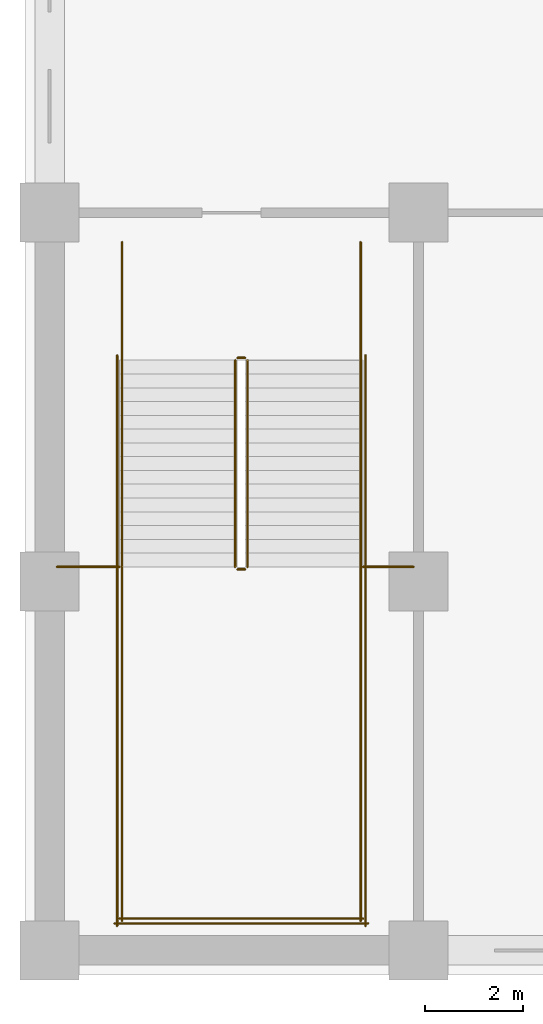
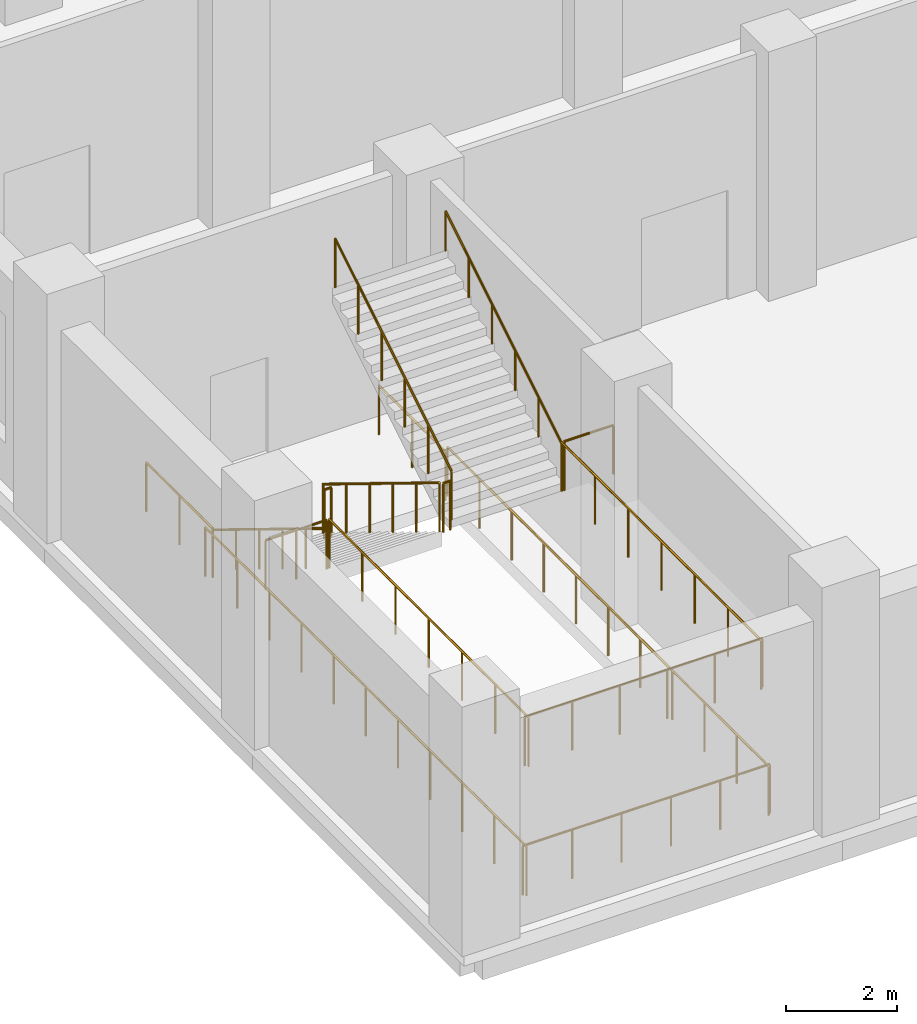
# One storey, part 24 of 35: 16 railings.
"""IFC4 building model written with IfcOpenShell, lengths in metres."""

from ifc_helpers import new_model, si_unit, direction, frame, origin, origin_2d, place, context, subcontext, project, spatial, circle, extrude, material, type_object, element, save


model = new_model("IFC4")

# Units and contexts
model_context = context("Model", 3, precision=1e-05, world=origin(), true_north=direction((0.0, 1.0)))
body_context = subcontext(model_context, "Body", "Model", "MODEL_VIEW")
ifc_project = project(units=[si_unit("LENGTHUNIT", "METRE"), si_unit("AREAUNIT", "SQUARE_METRE"), si_unit("VOLUMEUNIT", "CUBIC_METRE"), si_unit("PLANEANGLEUNIT", "RADIAN"), si_unit("MASSUNIT", "GRAM", prefix="KILO")], contexts=[model_context])

# Site, building, storey
site_placement = place(None, origin())
site = spatial("IfcSite", under=ifc_project, at=site_placement, CompositionType="ELEMENT")
building_placement = place(site_placement, origin())
building = spatial("IfcBuilding", under=site, at=building_placement, Name="Tamorin Gate", CompositionType="ELEMENT")
storey_placement = place(building_placement, frame((0.0, 0.0, 8.0)))
storey = spatial("IfcBuildingStorey", under=building, at=storey_placement, Name="L01", CompositionType="ELEMENT", Elevation=8.0)

# Railings
ifc_material = material(Name="Steel", Category="steel")
railing_type_1 = type_object("IfcRailingType", Name="Podium guard 1100", PredefinedType="GUARDRAIL", material=ifc_material)
railing_1_placement = place(storey_placement, frame((19.27490234375, 42.5, 0.171875)))
element("IfcRailing", 1, at=railing_1_placement, inside=storey, type_object=railing_type_1, Name="L01 PS1 stair guard 1", PredefinedType="GUARDRAIL", context=body_context, shape_type="SweptSolid", body=[
    extrude(circle(Radius=0.02392578125, at=origin_2d()), frame((0.0, 0.0, 1.076171875), z_axis=(0.0, -0.852242915053, 0.523146264196), x_axis=(1.0, 0.0, 0.0)), (0.0, 0.0, 1.0), 4.92822265625),
    extrude(circle(Radius=0.02099609375, at=origin_2d()), origin(), (0.0, 0.0, 1.0), 1.052001953125),
    extrude(circle(Radius=0.02099609375, at=origin_2d()), frame((0.0, -0.840087890625, 0.515625)), (0.0, 0.0, 1.0), 1.052001953125),
    extrude(circle(Radius=0.02099609375, at=origin_2d()), frame((0.0, -1.679931640625, 1.03125)), (0.0, 0.0, 1.0), 1.052001953125),
    extrude(circle(Radius=0.02099609375, at=origin_2d()), frame((0.0, -2.52001953125, 1.546875)), (0.0, 0.0, 1.0), 1.052001953125),
    extrude(circle(Radius=0.02099609375, at=origin_2d()), frame((0.0, -3.35986328125, 2.0625)), (0.0, 0.0, 1.0), 1.052001953125),
    extrude(circle(Radius=0.02099609375, at=origin_2d()), frame((0.0, -4.199951171875, 2.578125)), (0.0, 0.0, 1.0), 1.052001953125),
])
railing_2_placement = place(storey_placement, frame((19.324951171875, 38.25, 2.75)))
element("IfcRailing", 2, at=railing_2_placement, inside=storey, type_object=railing_type_1, Name="L01 PS1 stair guard 2", PredefinedType="GUARDRAIL", context=body_context, shape_type="SweptSolid", body=[
    extrude(circle(Radius=0.02392578125, at=origin_2d()), frame((0.0, 0.0, 1.076171875), z_axis=(1.0, 0.0, 0.0), x_axis=(0.0, 1.0, 0.0)), (0.0, 0.0, 1.0), 0.150146484375),
    extrude(circle(Radius=0.02099609375, at=origin_2d()), origin(), (0.0, 0.0, 1.0), 1.052001953125),
    extrude(circle(Radius=0.02099609375, at=origin_2d()), frame((0.150146484375, 0.0, 0.0)), (0.0, 0.0, 1.0), 1.052001953125),
])
for number, where, name in (
    (3, (16.97509765625, 38.300048828125, 2.75), "L01 PS1 stair guard 3"),
    (4, (21.824951171875, 38.300048828125, 2.75), "L01 PS1 stair guard 4"),
):
    element("IfcRailing", number, at=place(storey_placement, frame(where)), inside=storey, type_object=railing_type_1, Name=name, PredefinedType="GUARDRAIL", context=body_context, shape_type="SweptSolid", body=[
        extrude(circle(Radius=0.02392578125, at=origin_2d()), frame((0.0, 0.0, 1.076171875), z_axis=(0.0, -1.0, 0.0), x_axis=(1.0, 0.0, 0.0)), (0.0, 0.0, 1.0), 7.199951171875),
        extrude(circle(Radius=0.02099609375, at=origin_2d()), origin(), (0.0, 0.0, 1.0), 1.052001953125),
        extrude(circle(Radius=0.02099609375, at=origin_2d()), frame((0.0, -1.199951171875, 0.0)), (0.0, 0.0, 1.0), 1.052001953125),
        extrude(circle(Radius=0.02099609375, at=origin_2d()), frame((0.0, -2.39990234375, 0.0)), (0.0, 0.0, 1.0), 1.052001953125),
        extrude(circle(Radius=0.02099609375, at=origin_2d()), frame((0.0, -3.60009765625, 0.0)), (0.0, 0.0, 1.0), 1.052001953125),
        extrude(circle(Radius=0.02099609375, at=origin_2d()), frame((0.0, -4.800048828125, 0.0)), (0.0, 0.0, 1.0), 1.052001953125),
        extrude(circle(Radius=0.02099609375, at=origin_2d()), frame((0.0, -6.0, 0.0)), (0.0, 0.0, 1.0), 1.052001953125),
        extrude(circle(Radius=0.02099609375, at=origin_2d()), frame((0.0, -7.199951171875, 0.0)), (0.0, 0.0, 1.0), 1.052001953125),
    ])
railing_3_placement = place(storey_placement, frame((16.925048828125, 31.14990234375, 2.75)))
element("IfcRailing", 5, at=railing_3_placement, inside=storey, type_object=railing_type_1, Name="L01 PS1 stair guard 5", PredefinedType="GUARDRAIL", context=body_context, shape_type="SweptSolid", body=[
    extrude(circle(Radius=0.02392578125, at=origin_2d()), frame((0.0, 0.0, 1.076171875), z_axis=(1.0, 0.0, 0.0), x_axis=(0.0, 1.0, 0.0)), (0.0, 0.0, 1.0), 4.949951171875),
    extrude(circle(Radius=0.02099609375, at=origin_2d()), origin(), (0.0, 0.0, 1.0), 1.052001953125),
    extrude(circle(Radius=0.02099609375, at=origin_2d()), frame((0.989990234375, 0.0, 0.0)), (0.0, 0.0, 1.0), 1.052001953125),
    extrude(circle(Radius=0.02099609375, at=origin_2d()), frame((1.97998046875, 0.0, 0.0)), (0.0, 0.0, 1.0), 1.052001953125),
    extrude(circle(Radius=0.02099609375, at=origin_2d()), frame((2.969970703125, 0.0, 0.0)), (0.0, 0.0, 1.0), 1.052001953125),
    extrude(circle(Radius=0.02099609375, at=origin_2d()), frame((3.9599609375, 0.0, 0.0)), (0.0, 0.0, 1.0), 1.052001953125),
    extrude(circle(Radius=0.02099609375, at=origin_2d()), frame((4.949951171875, 0.0, 0.0)), (0.0, 0.0, 1.0), 1.052001953125),
])
railing_4_placement = place(storey_placement, frame((19.52490234375, 38.300048828125, 2.921875)))
element("IfcRailing", 6, at=railing_4_placement, inside=storey, type_object=railing_type_1, Name="L01 PS1 stair guard 6", PredefinedType="GUARDRAIL", context=body_context, shape_type="SweptSolid", body=[
    extrude(circle(Radius=0.02392578125, at=origin_2d()), frame((0.0, 0.0, 1.076171875), z_axis=(0.0, 0.852242915053, 0.523146264196), x_axis=(-1.0, 0.0, 0.0)), (0.0, 0.0, 1.0), 4.92822265625),
    extrude(circle(Radius=0.02099609375, at=origin_2d()), origin(), (0.0, 0.0, 1.0), 1.052001953125),
    extrude(circle(Radius=0.02099609375, at=origin_2d()), frame((0.0, 0.840087890625, 0.515625)), (0.0, 0.0, 1.0), 1.052001953125),
    extrude(circle(Radius=0.02099609375, at=origin_2d()), frame((0.0, 1.679931640625, 1.03125)), (0.0, 0.0, 1.0), 1.052001953125),
    extrude(circle(Radius=0.02099609375, at=origin_2d()), frame((0.0, 2.52001953125, 1.546875)), (0.0, 0.0, 1.0), 1.052001953125),
    extrude(circle(Radius=0.02099609375, at=origin_2d()), frame((0.0, 3.35986328125, 2.0625)), (0.0, 0.0, 1.0), 1.052001953125),
    extrude(circle(Radius=0.02099609375, at=origin_2d()), frame((0.0, 4.199951171875, 2.578125)), (0.0, 0.0, 1.0), 1.052001953125),
])
railing_5_placement = place(storey_placement, frame((19.324951171875, 42.550048828125, 0.0)))
element("IfcRailing", 7, at=railing_5_placement, inside=storey, type_object=railing_type_1, Name="L01 PS1 stair guard 7", PredefinedType="GUARDRAIL", context=body_context, shape_type="SweptSolid", body=[
    extrude(circle(Radius=0.02392578125, at=origin_2d()), frame((0.0, 0.0, 1.076171875), z_axis=(1.0, 0.0, 0.0), x_axis=(0.0, 1.0, 0.0)), (0.0, 0.0, 1.0), 0.150146484375),
    extrude(circle(Radius=0.02099609375, at=origin_2d()), origin(), (0.0, 0.0, 1.0), 1.052001953125),
    extrude(circle(Radius=0.02099609375, at=origin_2d()), frame((0.150146484375, 0.0, 0.0)), (0.0, 0.0, 1.0), 1.052001953125),
])
for number, where, name in (
    (8, (16.97509765625, 44.89990234375, 0.0), "L01 PS1 stair guard 8"),
    (9, (21.824951171875, 44.89990234375, 0.0), "L01 PS1 stair guard 9"),
):
    element("IfcRailing", number, at=place(storey_placement, frame(where)), inside=storey, type_object=railing_type_1, Name=name, PredefinedType="GUARDRAIL", context=body_context, shape_type="SweptSolid", body=[
        extrude(circle(Radius=0.02392578125, at=origin_2d()), frame((0.0, 0.0, 1.076171875), z_axis=(0.0, -1.0, 0.0), x_axis=(1.0, 0.0, 0.0)), (0.0, 0.0, 1.0), 2.39990234375),
        extrude(circle(Radius=0.02099609375, at=origin_2d()), origin(), (0.0, 0.0, 1.0), 1.052001953125),
        extrude(circle(Radius=0.02099609375, at=origin_2d()), frame((0.0, -1.199951171875, 0.0)), (0.0, 0.0, 1.0), 1.052001953125),
        extrude(circle(Radius=0.02099609375, at=origin_2d()), frame((0.0, -2.39990234375, 0.0)), (0.0, 0.0, 1.0), 1.052001953125),
    ])
for number, where, name in (
    (10, (16.875, 42.60009765625, 0.0), "L01 PS1 stair guard 10"),
    (11, (21.925048828125, 42.60009765625, 0.0), "L01 PS1 stair guard 11"),
):
    element("IfcRailing", number, at=place(storey_placement, frame(where)), inside=storey, type_object=railing_type_1, Name=name, PredefinedType="GUARDRAIL", context=body_context, shape_type="SweptSolid", body=[
        extrude(circle(Radius=0.02392578125, at=origin_2d()), frame((0.0, 0.0, 1.076171875), z_axis=(0.0, -1.0, 0.0), x_axis=(1.0, 0.0, 0.0)), (0.0, 0.0, 1.0), 11.60009765625),
        extrude(circle(Radius=0.02099609375, at=origin_2d()), origin(), (0.0, 0.0, 1.0), 1.052001953125),
        extrude(circle(Radius=0.02099609375, at=origin_2d()), frame((0.0, -1.159912109375, 0.0)), (0.0, 0.0, 1.0), 1.052001953125),
        extrude(circle(Radius=0.02099609375, at=origin_2d()), frame((0.0, -2.320068359375, 0.0)), (0.0, 0.0, 1.0), 1.052001953125),
        extrude(circle(Radius=0.02099609375, at=origin_2d()), frame((0.0, -3.47998046875, 0.0)), (0.0, 0.0, 1.0), 1.052001953125),
        extrude(circle(Radius=0.02099609375, at=origin_2d()), frame((0.0, -4.64013671875, 0.0)), (0.0, 0.0, 1.0), 1.052001953125),
        extrude(circle(Radius=0.02099609375, at=origin_2d()), frame((0.0, -5.800048828125, 0.0)), (0.0, 0.0, 1.0), 1.052001953125),
        extrude(circle(Radius=0.02099609375, at=origin_2d()), frame((0.0, -6.9599609375, 0.0)), (0.0, 0.0, 1.0), 1.052001953125),
        extrude(circle(Radius=0.02099609375, at=origin_2d()), frame((0.0, -8.1201171875, 0.0)), (0.0, 0.0, 1.0), 1.052001953125),
        extrude(circle(Radius=0.02099609375, at=origin_2d()), frame((0.0, -9.280029296875, 0.0)), (0.0, 0.0, 1.0), 1.052001953125),
        extrude(circle(Radius=0.02099609375, at=origin_2d()), frame((0.0, -10.440185546875, 0.0)), (0.0, 0.0, 1.0), 1.052001953125),
        extrude(circle(Radius=0.02099609375, at=origin_2d()), frame((0.0, -11.60009765625, 0.0)), (0.0, 0.0, 1.0), 1.052001953125),
    ])
railing_6_placement = place(storey_placement, frame((16.824951171875, 31.050048828125, 0.0)))
element("IfcRailing", 12, at=railing_6_placement, inside=storey, type_object=railing_type_1, Name="L01 PS1 stair guard 12", PredefinedType="GUARDRAIL", context=body_context, shape_type="SweptSolid", body=[
    extrude(circle(Radius=0.02392578125, at=origin_2d()), frame((0.0, 0.0, 1.076171875), z_axis=(1.0, 0.0, 0.0), x_axis=(0.0, 1.0, 0.0)), (0.0, 0.0, 1.0), 5.150146484375),
    extrude(circle(Radius=0.02099609375, at=origin_2d()), origin(), (0.0, 0.0, 1.0), 1.052001953125),
    extrude(circle(Radius=0.02099609375, at=origin_2d()), frame((1.030029296875, 0.0, 0.0)), (0.0, 0.0, 1.0), 1.052001953125),
    extrude(circle(Radius=0.02099609375, at=origin_2d()), frame((2.06005859375, 0.0, 0.0)), (0.0, 0.0, 1.0), 1.052001953125),
    extrude(circle(Radius=0.02099609375, at=origin_2d()), frame((3.090087890625, 0.0, 0.0)), (0.0, 0.0, 1.0), 1.052001953125),
    extrude(circle(Radius=0.02099609375, at=origin_2d()), frame((4.1201171875, 0.0, 0.0)), (0.0, 0.0, 1.0), 1.052001953125),
    extrude(circle(Radius=0.02099609375, at=origin_2d()), frame((5.150146484375, 0.0, 0.0)), (0.0, 0.0, 1.0), 1.052001953125),
])
railing_7_placement = place(storey_placement, frame((15.64990234375, 38.300048828125, 2.75)))
element("IfcRailing", 13, at=railing_7_placement, inside=storey, type_object=railing_type_1, Name="Landing edge guard", PredefinedType="GUARDRAIL", context=body_context, shape_type="SweptSolid", body=[
    extrude(circle(Radius=0.02392578125, at=origin_2d()), frame((0.0, 0.0, 1.076171875), z_axis=(1.0, 0.0, 0.0), x_axis=(0.0, 1.0, 0.0)), (0.0, 0.0, 1.0), 1.275146484375),
    extrude(circle(Radius=0.02099609375, at=origin_2d()), origin(), (0.0, 0.0, 1.0), 1.052001953125),
    extrude(circle(Radius=0.02099609375, at=origin_2d()), frame((0.6376953125, 0.0, 0.0)), (0.0, 0.0, 1.0), 1.052001953125),
    extrude(circle(Radius=0.02099609375, at=origin_2d()), frame((1.275146484375, 0.0, 0.0)), (0.0, 0.0, 1.0), 1.052001953125),
])
railing_8_placement = place(storey_placement, frame((21.875, 38.300048828125, 2.75)))
element("IfcRailing", 14, at=railing_8_placement, inside=storey, type_object=railing_type_1, Name="Landing edge guard", PredefinedType="GUARDRAIL", context=body_context, shape_type="SweptSolid", body=[
    extrude(circle(Radius=0.02392578125, at=origin_2d()), frame((0.0, 0.0, 1.076171875), z_axis=(1.0, 0.0, 0.0), x_axis=(0.0, 1.0, 0.0)), (0.0, 0.0, 1.0), 1.02490234375),
    extrude(circle(Radius=0.02099609375, at=origin_2d()), origin(), (0.0, 0.0, 1.0), 1.052001953125),
    extrude(circle(Radius=0.02099609375, at=origin_2d()), frame((1.02490234375, 0.0, 0.0)), (0.0, 0.0, 1.0), 1.052001953125),
])
railing_type_2 = type_object("IfcRailingType", Name="Podium stair handrail 900", PredefinedType="HANDRAIL", material=ifc_material)
railing_9_placement = place(storey_placement, frame((16.97509765625, 42.5, 0.171875)))
element("IfcRailing", 15, at=railing_9_placement, inside=storey, type_object=railing_type_2, Name="L01 PS1 stair handrail 1", PredefinedType="HANDRAIL", context=body_context, shape_type="SweptSolid", body=[
    extrude(circle(Radius=0.02392578125, at=origin_2d()), frame((0.0, 0.0, 0.8759765625), z_axis=(0.0, -0.852242915053, 0.523146264196), x_axis=(1.0, 0.0, 0.0)), (0.0, 0.0, 1.0), 4.92822265625),
    extrude(circle(Radius=0.02099609375, at=origin_2d()), origin(), (0.0, 0.0, 1.0), 0.851806640625),
    extrude(circle(Radius=0.02099609375, at=origin_2d()), frame((0.0, -0.840087890625, 0.515625)), (0.0, 0.0, 1.0), 0.851806640625),
    extrude(circle(Radius=0.02099609375, at=origin_2d()), frame((0.0, -1.679931640625, 1.03125)), (0.0, 0.0, 1.0), 0.851806640625),
    extrude(circle(Radius=0.02099609375, at=origin_2d()), frame((0.0, -2.52001953125, 1.546875)), (0.0, 0.0, 1.0), 0.851806640625),
    extrude(circle(Radius=0.02099609375, at=origin_2d()), frame((0.0, -3.35986328125, 2.0625)), (0.0, 0.0, 1.0), 0.851806640625),
    extrude(circle(Radius=0.02099609375, at=origin_2d()), frame((0.0, -4.199951171875, 2.578125)), (0.0, 0.0, 1.0), 0.851806640625),
])
railing_10_placement = place(storey_placement, frame((21.824951171875, 38.300048828125, 2.921875)))
element("IfcRailing", 16, at=railing_10_placement, inside=storey, type_object=railing_type_2, Name="L01 PS1 stair handrail 2", PredefinedType="HANDRAIL", context=body_context, shape_type="SweptSolid", body=[
    extrude(circle(Radius=0.02392578125, at=origin_2d()), frame((0.0, 0.0, 0.8759765625), z_axis=(0.0, 0.852242915053, 0.523146264196), x_axis=(-1.0, 0.0, 0.0)), (0.0, 0.0, 1.0), 4.92822265625),
    extrude(circle(Radius=0.02099609375, at=origin_2d()), origin(), (0.0, 0.0, 1.0), 0.851806640625),
    extrude(circle(Radius=0.02099609375, at=origin_2d()), frame((0.0, 0.840087890625, 0.515625)), (0.0, 0.0, 1.0), 0.851806640625),
    extrude(circle(Radius=0.02099609375, at=origin_2d()), frame((0.0, 1.679931640625, 1.03125)), (0.0, 0.0, 1.0), 0.851806640625),
    extrude(circle(Radius=0.02099609375, at=origin_2d()), frame((0.0, 2.52001953125, 1.546875)), (0.0, 0.0, 1.0), 0.851806640625),
    extrude(circle(Radius=0.02099609375, at=origin_2d()), frame((0.0, 3.35986328125, 2.0625)), (0.0, 0.0, 1.0), 0.851806640625),
    extrude(circle(Radius=0.02099609375, at=origin_2d()), frame((0.0, 4.199951171875, 2.578125)), (0.0, 0.0, 1.0), 0.851806640625),
])

save(model, "model.ifc")
